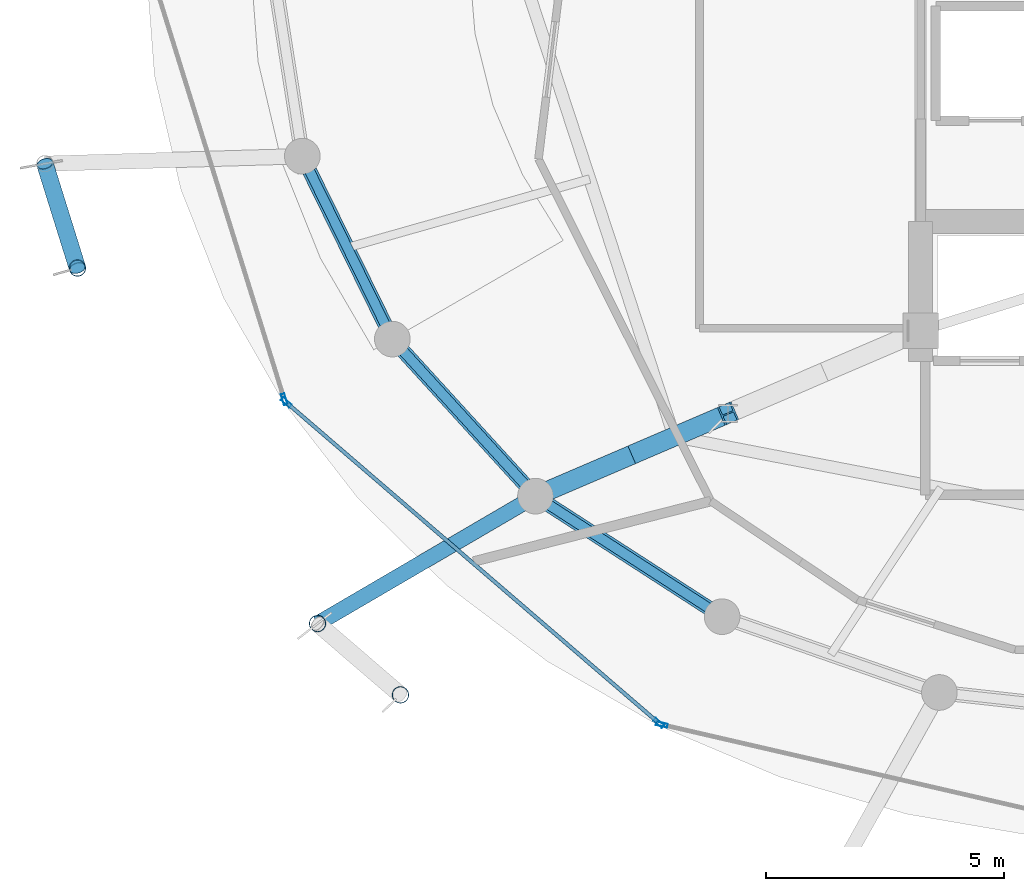
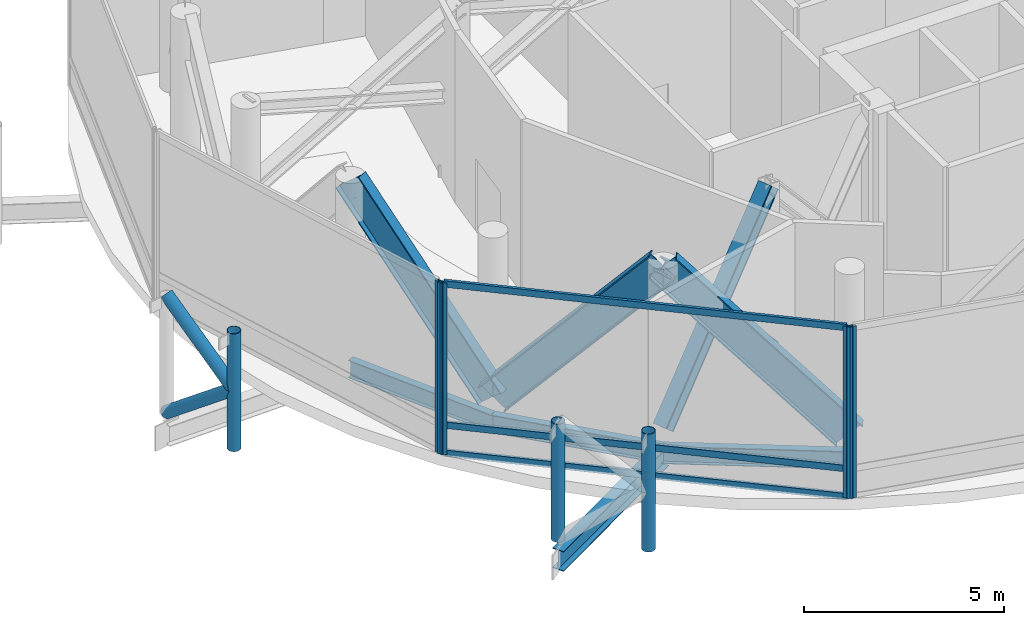
# One storey, part 2 of 26: 17 members, 4 beams, 3 elements without a shape of their own.
"""IFC4 building model written with IfcOpenShell, lengths in metres."""

from ifc_helpers import new_model, si_unit, direction, frame, origin, origin_2d, place, context, subcontext, project, spatial, hollow_rectangle, hollow_circle, i_section, extrude, material, layer, layer_set, material_profile, profile_set, type_object, element, aggregate, save


model = new_model("IFC4")

# Units and contexts
model_context = context("Model", 3, precision=1e-05, world=origin(), true_north=direction((0.0, 1.0)))
body_context = subcontext(model_context, "Body", "Model", "MODEL_VIEW")
ifc_project = project(units=[si_unit("LENGTHUNIT", "METRE"), si_unit("AREAUNIT", "SQUARE_METRE"), si_unit("VOLUMEUNIT", "CUBIC_METRE"), si_unit("PLANEANGLEUNIT", "RADIAN"), si_unit("MASSUNIT", "GRAM", prefix="KILO")], contexts=[model_context])

# Site, building, storey
site_placement = place(None, origin())
site = spatial("IfcSite", under=ifc_project, at=site_placement, CompositionType="ELEMENT")
building_placement = place(site_placement, origin())
building = spatial("IfcBuilding", under=site, at=building_placement, Name="Nuhasar Tower", CompositionType="ELEMENT")
storey_placement = place(building_placement, frame((0.0, 0.0, 301.199951171875)))
storey = spatial("IfcBuildingStorey", under=building, at=storey_placement, Name="L75", CompositionType="ELEMENT", Elevation=301.199951171875)

# Members
ifc_material_1 = material(Name="Steel S460", Category="steel")
ifc_material_profile_1 = material_profile(ifc_material_1, i_section(OverallWidth=0.306884765625, OverallDepth=0.927001953125, WebThickness=0.019287109375, FlangeThickness=0.031982421875, at=origin_2d()), Name="W36X194")
ifc_profile_set_1 = profile_set([ifc_material_profile_1], Name="Steel S460")
member_type_1 = type_object("IfcMemberType", Name="BLT-DIAG-W36B", PredefinedType="CHORD", material=ifc_profile_set_1)
member_1_placement = place(storey_placement, frame((22.589111328125, 18.824951171875, 0.150146484375), z_axis=(-0.289071954974, 0.587464001351, 0.755859412831), x_axis=(-0.897256052576, -0.441510561726, 0.0)))
element("IfcMember", 1, at=member_1_placement, inside=storey, type_object=member_type_1, Name="L75 Belt Truss Diagonal 14", PredefinedType="CHORD", context=body_context, shape_type="SweptSolid", body=[
    extrude(i_section(OverallWidth=0.306884765625, OverallDepth=0.927001953125, WebThickness=0.019287109375, FlangeThickness=0.031982421875, at=origin_2d()), origin(), (0.0, 0.0, 1.0), 6.548828125),
])
member_2_placement = place(storey_placement, frame((22.589111328125, 18.824951171875, 0.150146484375), z_axis=(0.451478957779, -0.495261397858, 0.742214860047), x_axis=(0.739017432293, 0.673686302939, 0.0)))
element("IfcMember", 2, at=member_2_placement, inside=storey, type_object=member_type_1, Name="L75 Belt Truss Diagonal 15", PredefinedType="CHORD", context=body_context, shape_type="SweptSolid", body=[
    extrude(i_section(OverallWidth=0.306884765625, OverallDepth=0.927001953125, WebThickness=0.019287109375, FlangeThickness=0.031982421875, at=origin_2d()), origin(), (0.0, 0.0, 1.0), 6.669189453125),
])
member_3_placement = place(storey_placement, frame((29.52490234375, 12.987060546875, 0.150146484375), z_axis=(-0.576604531791, 0.372411349439, 0.727211799084), x_axis=(-0.542546940809, -0.840025485934, 0.0)))
element("IfcMember", 3, at=member_3_placement, inside=storey, type_object=member_type_1, Name="L75 Belt Truss Diagonal 16", PredefinedType="CHORD", context=body_context, shape_type="SweptSolid", body=[
    extrude(i_section(OverallWidth=0.306884765625, OverallDepth=0.927001953125, WebThickness=0.019287109375, FlangeThickness=0.031982421875, at=origin_2d()), origin(), (0.0, 0.0, 1.0), 6.806640625),
])

# Beams
ifc_material_2 = material(Name="Steel S355", Category="steel")
ifc_material_profile_2 = material_profile(ifc_material_2, i_section(OverallWidth=0.2099609375, OverallDepth=0.537109375, WebThickness=0.010986328125, FlangeThickness=0.017333984375, at=origin_2d()), Name="W21X68")
ifc_profile_set_2 = profile_set([ifc_material_profile_2], Name="Steel S355")
beam_type_1 = type_object("IfcBeamType", Name="BM-RING-W21X68", PredefinedType="SPANDREL", material=ifc_profile_set_2)
beam_1_placement = place(storey_placement, frame((20.696044921875, 22.672119140625, -0.617919921875), z_axis=(0.441510561726, -0.897256052576, 0.0), x_axis=(0.897256052576, 0.441510561726, 0.0)))
element("IfcBeam", 4, at=beam_1_placement, inside=storey, type_object=beam_type_1, Name="L75 Perimeter Ring Spandrel 14", PredefinedType="SPANDREL", context=body_context, shape_type="SweptSolid", body=[
    extrude(i_section(OverallWidth=0.2099609375, OverallDepth=0.537109375, WebThickness=0.010986328125, FlangeThickness=0.017333984375, at=origin_2d()), origin(), (0.0, 0.0, 1.0), 4.28759765625),
])
beam_2_placement = place(storey_placement, frame((22.589111328125, 18.824951171875, -0.617919921875), z_axis=(0.673686302939, -0.739017432293, 0.0), x_axis=(0.739017432293, 0.673686302939, 0.0)))
element("IfcBeam", 5, at=beam_2_placement, inside=storey, type_object=beam_type_1, Name="L75 Perimeter Ring Spandrel 15", PredefinedType="SPANDREL", context=body_context, shape_type="SweptSolid", body=[
    extrude(i_section(OverallWidth=0.2099609375, OverallDepth=0.537109375, WebThickness=0.010986328125, FlangeThickness=0.017333984375, at=origin_2d()), origin(), (0.0, 0.0, 1.0), 4.469482421875),
])
beam_3_placement = place(storey_placement, frame((25.60009765625, 15.52197265625, -0.617919921875), z_axis=(0.840025485934, -0.542546940809, 0.0), x_axis=(0.542546940809, 0.840025485934, 0.0)))
element("IfcBeam", 6, at=beam_3_placement, inside=storey, type_object=beam_type_1, Name="L75 Perimeter Ring Spandrel 16", PredefinedType="SPANDREL", context=body_context, shape_type="SweptSolid", body=[
    extrude(i_section(OverallWidth=0.2099609375, OverallDepth=0.537109375, WebThickness=0.010986328125, FlangeThickness=0.017333984375, at=origin_2d()), origin(), (0.0, 0.0, 1.0), 4.67236328125),
])
ifc_material_profile_3 = material_profile(ifc_material_2, i_section(OverallWidth=0.323974609375, OverallDepth=0.611083984375, WebThickness=0.0126953125, FlangeThickness=0.01904296875, at=origin_2d()), Name="W24X104")
ifc_profile_set_3 = profile_set([ifc_material_profile_3], Name="Steel S355")
beam_type_2 = type_object("IfcBeamType", Name="BM-TIE-W24X104", PredefinedType="BEAM", material=ifc_profile_set_3)
beam_4_placement = place(storey_placement, frame((25.60009765625, 15.52197265625, -0.655029296875), z_axis=(-0.863291554686, -0.504705549413, 0.0), x_axis=(0.504705549413, -0.863291554686, 0.0)))
element("IfcBeam", 7, at=beam_4_placement, inside=storey, type_object=beam_type_2, Name="L75 Exoskeleton Node Tie Beam 08", PredefinedType="BEAM", context=body_context, shape_type="SweptSolid", body=[
    extrude(i_section(OverallWidth=0.323974609375, OverallDepth=0.611083984375, WebThickness=0.0126953125, FlangeThickness=0.01904296875, at=origin_2d()), origin(), (0.0, 0.0, 1.0), 5.309814453125),
])

# Curtain wall, member
ifc_material_3 = material(Name="Aluminium 6063-T6", Category="aluminium")
ifc_layer = layer(ifc_material_3, 0.219970703125)
ifc_layer_set = layer_set([ifc_layer], Name="Aluminium 6063-T6")
curtain_wall_type = type_object("IfcCurtainWallType", Name="CW-CROWN", PredefinedType="NOTDEFINED", material=ifc_layer_set)
curtain_wall_1_placement = place(storey_placement, origin())
curtain_wall_1 = element("IfcCurtainWall", 8, at=curtain_wall_1_placement, inside=storey, type_object=curtain_wall_type, Name="L75 Unitised Curtain Wall 07", PredefinedType="NOTDEFINED")
ifc_material_profile_4 = material_profile(ifc_material_3, hollow_rectangle(XDim=0.080078125, YDim=0.239990234375, WallThickness=0.0048828125, at=origin_2d()), Name="CWM-7")
ifc_profile_set_4 = profile_set([ifc_material_profile_4], Name="Aluminium 6063-T6")
member_type_2 = type_object("IfcMemberType", Name="CW-MUL-S7", PredefinedType="MULLION", material=ifc_profile_set_4)
member_4_placement = place(storey_placement, frame((20.316162109375, 17.55810546875, 0.0), z_axis=(0.0, 0.0, 1.0), x_axis=(0.954830829827, 0.297149939275, 0.0)))
member_4 = element("IfcMember", 9, at=member_4_placement, type_object=member_type_2, Name="CW-CR mullion 2", PredefinedType="MULLION", context=body_context, shape_type="SweptSolid", body=[
    extrude(hollow_rectangle(XDim=0.080078125, YDim=0.239990234375, WallThickness=0.0048828125, at=origin_2d()), origin(), (0.0, 0.0, 1.0), 5.25),
])
aggregate(curtain_wall_1, [member_4])

# Curtain wall, members
curtain_wall_2_placement = place(storey_placement, origin())
curtain_wall_2 = element("IfcCurtainWall", 10, at=curtain_wall_2_placement, inside=storey, type_object=curtain_wall_type, Name="L75 Unitised Curtain Wall 08", PredefinedType="NOTDEFINED")
member_5_placement = place(storey_placement, frame((20.3583984375, 17.493896484375, 0.0), z_axis=(0.0, 0.0, 1.0), x_axis=(0.652363814796, 0.757905965898, 0.0)))
member_5 = element("IfcMember", 11, at=member_5_placement, type_object=member_type_2, Name="CW-CR mullion 1", PredefinedType="MULLION", context=body_context, shape_type="SweptSolid", body=[
    extrude(hollow_rectangle(XDim=0.080078125, YDim=0.239990234375, WallThickness=0.0048828125, at=origin_2d()), origin(), (0.0, 0.0, 1.0), 5.25),
])
member_6_placement = place(storey_placement, frame((28.189697265625, 10.753173828125, 0.0), z_axis=(0.0, 0.0, 1.0), x_axis=(0.652363814796, 0.757905965898, 0.0)))
member_6 = element("IfcMember", 12, at=member_6_placement, type_object=member_type_2, Name="CW-CR mullion 2", PredefinedType="MULLION", context=body_context, shape_type="SweptSolid", body=[
    extrude(hollow_rectangle(XDim=0.080078125, YDim=0.239990234375, WallThickness=0.0048828125, at=origin_2d()), origin(), (0.0, 0.0, 1.0), 5.25),
])

# Curtain wall, member
curtain_wall_3_placement = place(storey_placement, origin())
curtain_wall_3 = element("IfcCurtainWall", 13, at=curtain_wall_3_placement, inside=storey, type_object=curtain_wall_type, Name="L75 Unitised Curtain Wall 09", PredefinedType="NOTDEFINED")
member_7_placement = place(storey_placement, frame((28.259033203125, 10.718017578125, 0.0), z_axis=(0.0, 0.0, 1.0), x_axis=(0.224800092578, 0.974404904738, 0.0)))
member_7 = element("IfcMember", 14, at=member_7_placement, type_object=member_type_2, Name="CW-CR mullion 1", PredefinedType="MULLION", context=body_context, shape_type="SweptSolid", body=[
    extrude(hollow_rectangle(XDim=0.080078125, YDim=0.239990234375, WallThickness=0.0048828125, at=origin_2d()), origin(), (0.0, 0.0, 1.0), 5.25),
])
aggregate(curtain_wall_3, [member_7])

# Member
ifc_material_profile_5 = material_profile(ifc_material_3, hollow_rectangle(XDim=0.080078125, YDim=0.199951171875, WallThickness=0.00439453125, at=origin_2d()), Name="CWT-7")
ifc_profile_set_5 = profile_set([ifc_material_profile_5], Name="Aluminium 6063-T6")
member_type_3 = type_object("IfcMemberType", Name="CW-TRN-S7", PredefinedType="USERDEFINED", material=ifc_profile_set_5)
member_8_placement = place(storey_placement, frame((20.388671875, 17.4677734375, 0.0400390625), z_axis=(0.75791367107, -0.652354862943, 0.0), x_axis=(0.652354862943, 0.75791367107, 0.0)))
member_8 = element("IfcMember", 15, at=member_8_placement, type_object=member_type_3, Name="CW-CR transom 1.1", ObjectType="TRANSOM", PredefinedType="USERDEFINED", context=body_context, shape_type="SweptSolid", body=[
    extrude(hollow_rectangle(XDim=0.080078125, YDim=0.199951171875, WallThickness=0.00439453125, at=origin_2d()), origin(), (0.0, 0.0, 1.0), 10.2529296875),
])

member_9_placement = place(storey_placement, frame((20.388671875, 17.4677734375, 0.900146484375), z_axis=(0.75791367107, -0.652354862943, 0.0), x_axis=(0.652354862943, 0.75791367107, 0.0)))
member_9 = element("IfcMember", 16, at=member_9_placement, type_object=member_type_3, Name="CW-CR transom 1.2", ObjectType="TRANSOM", PredefinedType="USERDEFINED", context=body_context, shape_type="SweptSolid", body=[
    extrude(hollow_rectangle(XDim=0.080078125, YDim=0.199951171875, WallThickness=0.00439453125, at=origin_2d()), origin(), (0.0, 0.0, 1.0), 10.2529296875),
])

member_10_placement = place(storey_placement, frame((20.388671875, 17.4677734375, 5.2099609375), z_axis=(0.75791367107, -0.652354862943, 0.0), x_axis=(0.652354862943, 0.75791367107, 0.0)))
member_10 = element("IfcMember", 17, at=member_10_placement, type_object=member_type_3, Name="CW-CR transom 1.3", ObjectType="TRANSOM", PredefinedType="USERDEFINED", context=body_context, shape_type="SweptSolid", body=[
    extrude(hollow_rectangle(XDim=0.080078125, YDim=0.199951171875, WallThickness=0.00439453125, at=origin_2d()), origin(), (0.0, 0.0, 1.0), 10.2529296875),
])

aggregate(curtain_wall_2, [member_5, member_6, member_8, member_9, member_10])

# Members
ifc_material_profile_6 = material_profile(ifc_material_1, hollow_circle(Radius=0.177734375, WallThickness=0.015869140625, at=origin_2d()), Name="HSS355.6X15.9")
ifc_profile_set_6 = profile_set([ifc_material_profile_6], Name="Steel S460")
member_type_4 = type_object("IfcMemberType", Name="EXO-BRONZE-356", PredefinedType="BRACE", material=ifc_profile_set_6)
for number, where, z_axis, x_axis, name in (
    (18, (15.967041015625, 20.319091796875, 0.0), (0.0, 0.0, 1.0), (1.0, 0.0, 0.0), "L75 Exoskeleton Chord Column EC-07B"),
    (19, (21.01611328125, 12.842041015625, 0.0), (0.0, 0.0, 1.0), (1.0, 0.0, 0.0), "L75 Exoskeleton Chord Column EC-08A"),
    (20, (22.760009765625, 11.343017578125, 0.0), (0.0, 0.0, 1.0), (1.0, 0.0, 0.0), "L75 Exoskeleton Chord Column EC-08B"),
):
    element("IfcMember", number, at=place(storey_placement, frame(where, z_axis=z_axis, x_axis=x_axis)), inside=storey, type_object=member_type_4, Name=name, PredefinedType="BRACE", context=body_context, shape_type="SweptSolid", body=[
        extrude(hollow_circle(Radius=0.177734375, WallThickness=0.015869140625, at=origin_2d()), origin(), (0.0, 0.0, 1.0), 3.60009765625),
    ])
for number, where, z_axis, x_axis, name in (
    (21, (15.281982421875, 22.513916015625, 0.0), (0.234604506813, -0.751637389966, 0.616442989568), (0.954581948223, 0.297948492404, 0.0), "L75 Bronze Diagrid Brace W1-07"),
    (22, (15.967041015625, 20.319091796875, 1.800048828125), (-0.234604506813, 0.751637389966, 0.616442989568), (-0.954581948223, -0.297948492404, 0.0), "L75 Bronze Diagrid Brace W2-07"),
):
    element("IfcMember", number, at=place(storey_placement, frame(where, z_axis=z_axis, x_axis=x_axis)), inside=storey, type_object=member_type_4, Name=name, PredefinedType="BRACE", context=body_context, shape_type="SweptSolid", body=[
        extrude(hollow_circle(Radius=0.177734375, WallThickness=0.015869140625, at=origin_2d()), origin(), (0.0, 0.0, 1.0), 2.920166015625),
    ])
ifc_material_profile_7 = material_profile(ifc_material_1, i_section(OverallWidth=0.406005859375, OverallDepth=0.416015625, WebThickness=0.02978515625, FlangeThickness=0.048095703125, at=origin_2d()), Name="W14X257")
ifc_profile_set_7 = profile_set([ifc_material_profile_7], Name="Steel S460")
member_type_5 = type_object("IfcMemberType", Name="OUT-DIAG-W14B", PredefinedType="STRUT", material=ifc_profile_set_7)
for number, where, z_axis, x_axis, name in (
    (23, (29.64990234375, 17.260986328125, 0.150146484375), (-0.611037405111, -0.262383616868, 0.746852145444), (0.39456768616, -0.918866878845, 0.0), "L75 Outrigger Truss Diagonal OUT1-01"),
    (24, (25.60009765625, 15.52197265625, 0.150146484375), (0.611037405111, 0.262383616868, 0.746852145444), (-0.39456768616, 0.918866878845, 0.0), "L75 Outrigger Truss Diagonal OUT2-01"),
):
    element("IfcMember", number, at=place(storey_placement, frame(where, z_axis=z_axis, x_axis=x_axis)), inside=storey, type_object=member_type_5, Name=name, PredefinedType="STRUT", context=body_context, shape_type="SweptSolid", body=[
        extrude(i_section(OverallWidth=0.406005859375, OverallDepth=0.416015625, WebThickness=0.02978515625, FlangeThickness=0.048095703125, at=origin_2d()), origin(), (0.0, 0.0, 1.0), 6.627685546875),
    ])

save(model, "model.ifc")
